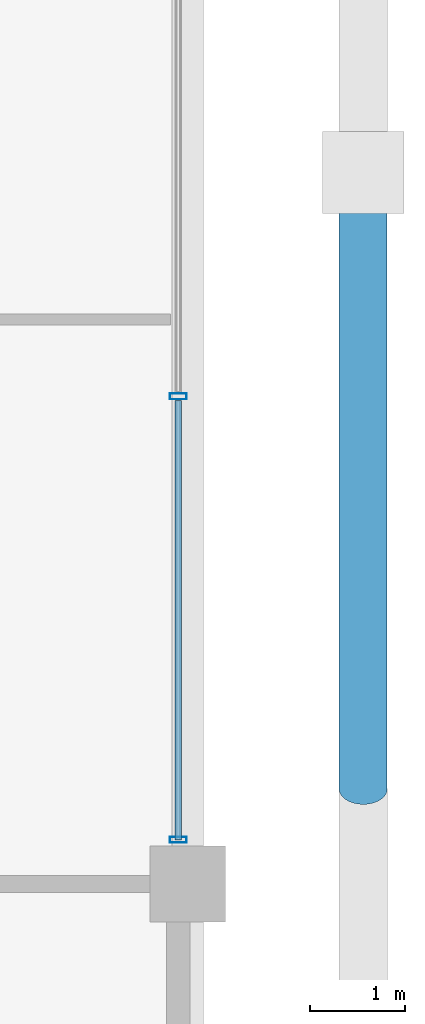
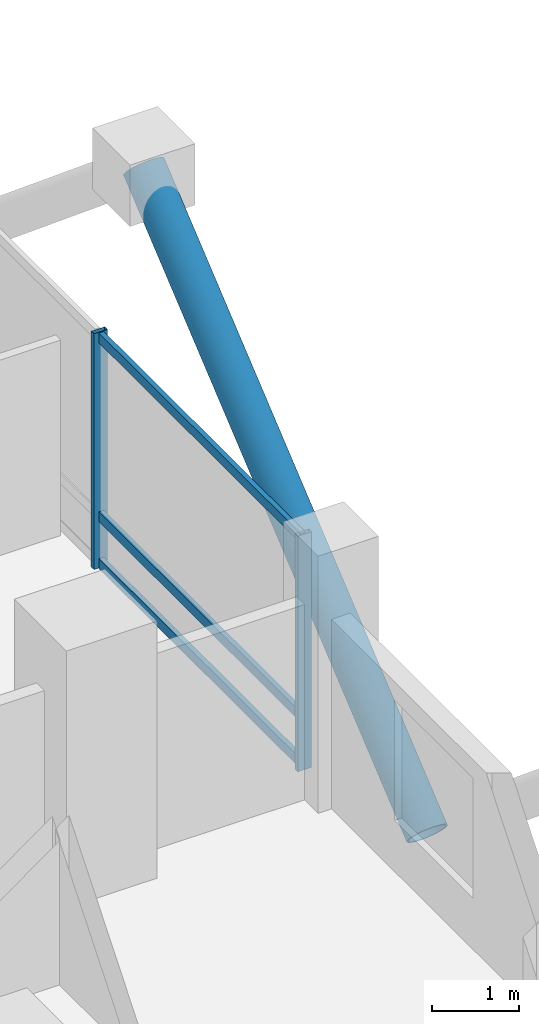
# One storey, part 8 of 23: 6 members, 1 element without a shape of its own.
"""IFC4 building model written with IfcOpenShell, lengths in metres."""

from ifc_helpers import new_model, si_unit, direction, frame, origin, origin_2d, place, context, subcontext, project, spatial, hollow_rectangle, hollow_circle, extrude, material, layer, layer_set, material_profile, profile_set, type_object, element, aggregate, save


model = new_model("IFC4")

# Units and contexts
model_context = context("Model", 3, precision=1e-05, world=origin(), true_north=direction((0.0, 1.0)))
body_context = subcontext(model_context, "Body", "Model", "MODEL_VIEW")
ifc_project = project(units=[si_unit("LENGTHUNIT", "METRE"), si_unit("AREAUNIT", "SQUARE_METRE"), si_unit("VOLUMEUNIT", "CUBIC_METRE"), si_unit("PLANEANGLEUNIT", "RADIAN"), si_unit("MASSUNIT", "GRAM", prefix="KILO")], contexts=[model_context])

# Site, building, storey
site_placement = place(None, origin())
site = spatial("IfcSite", under=ifc_project, at=site_placement, CompositionType="ELEMENT")
building_placement = place(site_placement, origin())
building = spatial("IfcBuilding", under=site, at=building_placement, Name="Barlavira Tower and Art Museum", CompositionType="ELEMENT")
storey_placement = place(building_placement, frame((0.0, 0.0, 117.0)))
storey = spatial("IfcBuildingStorey", under=building, at=storey_placement, Name="L29", CompositionType="ELEMENT", Elevation=117.0)

# Curtain wall, members
ifc_material_1 = material(Name="Low-iron coastal laminated glass", Category="glass")
ifc_layer = layer(ifc_material_1, 0.18994140625, Name="Low-iron coastal laminated glass")
ifc_layer_set = layer_set([ifc_layer], Name="Low-iron coastal laminated glass")
curtain_wall_type = type_object("IfcCurtainWallType", Name="Pale-Metal Unitised Curtain Wall Zone 2", PredefinedType="NOTDEFINED", material=ifc_layer_set)
curtain_wall_placement = place(storey_placement, origin())
curtain_wall = element("IfcCurtainWall", 1, at=curtain_wall_placement, inside=storey, type_object=curtain_wall_type, Name="L29 Curtain Wall CW2-L29-E-B3", PredefinedType="NOTDEFINED")
ifc_material_2 = material(Name="Pale anodised aluminium", Category="aluminium")
ifc_material_profile_1 = material_profile(ifc_material_2, hollow_rectangle(XDim=0.06494140625, YDim=0.179931640625, WallThickness=0.00390625, at=origin_2d()), Name="ALU-MULL 65x180x4")
ifc_profile_set_1 = profile_set([ifc_material_profile_1], Name="Pale anodised aluminium")
member_type_1 = type_object("IfcMemberType", Name="Curtain Wall Pale-Metal Mullion 65x180", PredefinedType="MULLION", material=ifc_profile_set_1)
member_1_placement = place(storey_placement, frame((20.14990234375, -7.034912109375, 0.0), z_axis=(0.0, 0.0, 1.0), x_axis=(0.0, 1.0, 0.0)))
member_1 = element("IfcMember", 2, at=member_1_placement, type_object=member_type_1, Name="CW2-L29-E-B3 Mullion 0", PredefinedType="MULLION", context=body_context, shape_type="SweptSolid", body=[
    extrude(hollow_rectangle(XDim=0.06494140625, YDim=0.179931640625, WallThickness=0.00390625, at=origin_2d()), origin(), (0.0, 0.0, 1.0), 3.300048828125),
])
member_2_placement = place(storey_placement, frame((20.14990234375, -2.360107421875, 0.0), z_axis=(0.0, 0.0, 1.0), x_axis=(0.0, 1.0, 0.0)))
member_2 = element("IfcMember", 3, at=member_2_placement, type_object=member_type_1, Name="CW2-L29-E-B3 Mullion 1", PredefinedType="MULLION", context=body_context, shape_type="SweptSolid", body=[
    extrude(hollow_rectangle(XDim=0.06494140625, YDim=0.179931640625, WallThickness=0.00390625, at=origin_2d()), origin(), (0.0, 0.0, 1.0), 3.300048828125),
])
ifc_material_profile_2 = material_profile(ifc_material_2, hollow_rectangle(XDim=0.06494140625, YDim=0.139892578125, WallThickness=0.00390625, at=origin_2d()), Name="ALU-TRAN 65x140x4")
ifc_profile_set_2 = profile_set([ifc_material_profile_2], Name="Pale anodised aluminium")
member_type_2 = type_object("IfcMemberType", Name="Curtain Wall Pale-Metal Transom 65x140", PredefinedType="USERDEFINED", material=ifc_profile_set_2)
member_3_placement = place(storey_placement, frame((20.14990234375, -7.034912109375, 0.070068359375), z_axis=(0.0, 1.0, 0.0), x_axis=(-1.0, 0.0, 0.0)))
member_3 = element("IfcMember", 4, at=member_3_placement, type_object=member_type_2, Name="CW2-L29-E-B3 Transom 0.1", ObjectType="TRANSOM", PredefinedType="USERDEFINED", context=body_context, shape_type="SweptSolid", body=[
    extrude(hollow_rectangle(XDim=0.06494140625, YDim=0.139892578125, WallThickness=0.00390625, at=origin_2d()), origin(), (0.0, 0.0, 1.0), 4.6298828125),
])
member_4_placement = place(storey_placement, frame((20.14990234375, -7.034912109375, 0.72607421875), z_axis=(0.0, 1.0, 0.0), x_axis=(-1.0, 0.0, 0.0)))
member_4 = element("IfcMember", 5, at=member_4_placement, type_object=member_type_2, Name="CW2-L29-E-B3 Transom 0.2", ObjectType="TRANSOM", PredefinedType="USERDEFINED", context=body_context, shape_type="SweptSolid", body=[
    extrude(hollow_rectangle(XDim=0.06494140625, YDim=0.139892578125, WallThickness=0.00390625, at=origin_2d()), origin(), (0.0, 0.0, 1.0), 4.6298828125),
])
member_5_placement = place(storey_placement, frame((20.14990234375, -7.034912109375, 3.22998046875), z_axis=(0.0, 1.0, 0.0), x_axis=(-1.0, 0.0, 0.0)))
member_5 = element("IfcMember", 6, at=member_5_placement, type_object=member_type_2, Name="CW2-L29-E-B3 Transom 0.3", ObjectType="TRANSOM", PredefinedType="USERDEFINED", context=body_context, shape_type="SweptSolid", body=[
    extrude(hollow_rectangle(XDim=0.06494140625, YDim=0.139892578125, WallThickness=0.00390625, at=origin_2d()), origin(), (0.0, 0.0, 1.0), 4.6298828125),
])
aggregate(curtain_wall, [member_1, member_2, member_3, member_4, member_5])

# Member
ifc_material_3 = material(Name="Steel S355", Category="steel")
ifc_material_profile_3 = material_profile(ifc_material_3, hollow_circle(Radius=0.25390625, WallThickness=0.022216796875, at=origin_2d()), Name="CHS 508.0x22.2")
ifc_profile_set_3 = profile_set([ifc_material_profile_3], Name="Steel S355")
member_type_3 = type_object("IfcMemberType", Name="Pale-Metal Exoskeleton Diagrid Tube CHS 508x22 Steel S355", PredefinedType="BRACE", material=ifc_profile_set_3)
member_6_placement = place(storey_placement, frame((22.10009765625, -6.5, -1.919921875), z_axis=(0.0, 0.769196053329, 0.639012857104), x_axis=(-1.0, 0.0, 0.0)))
element("IfcMember", 7, at=member_6_placement, inside=storey, type_object=member_type_3, Name="L29 Exoskeleton Diagrid Tube E", PredefinedType="BRACE", context=body_context, shape_type="SweptSolid", body=[
    extrude(hollow_circle(Radius=0.25390625, WallThickness=0.022216796875, at=origin_2d()), origin(), (0.0, 0.0, 1.0), 8.450439453125),
])

save(model, "model.ifc")
